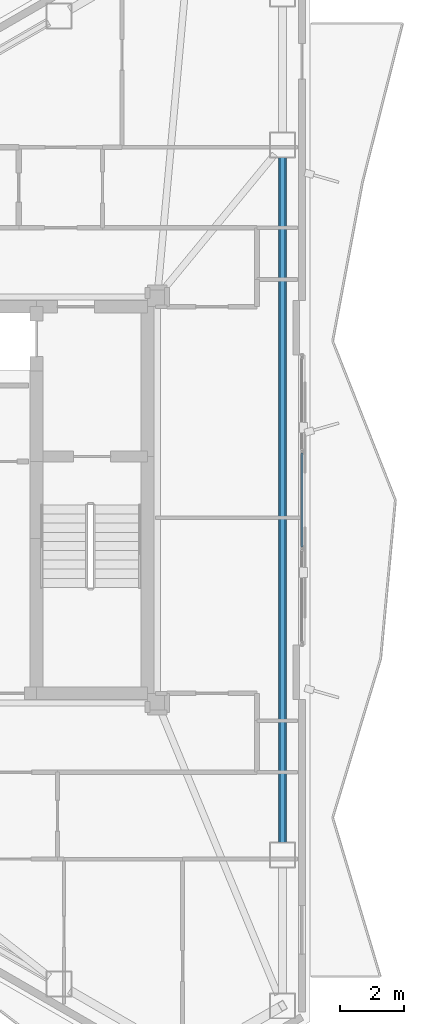
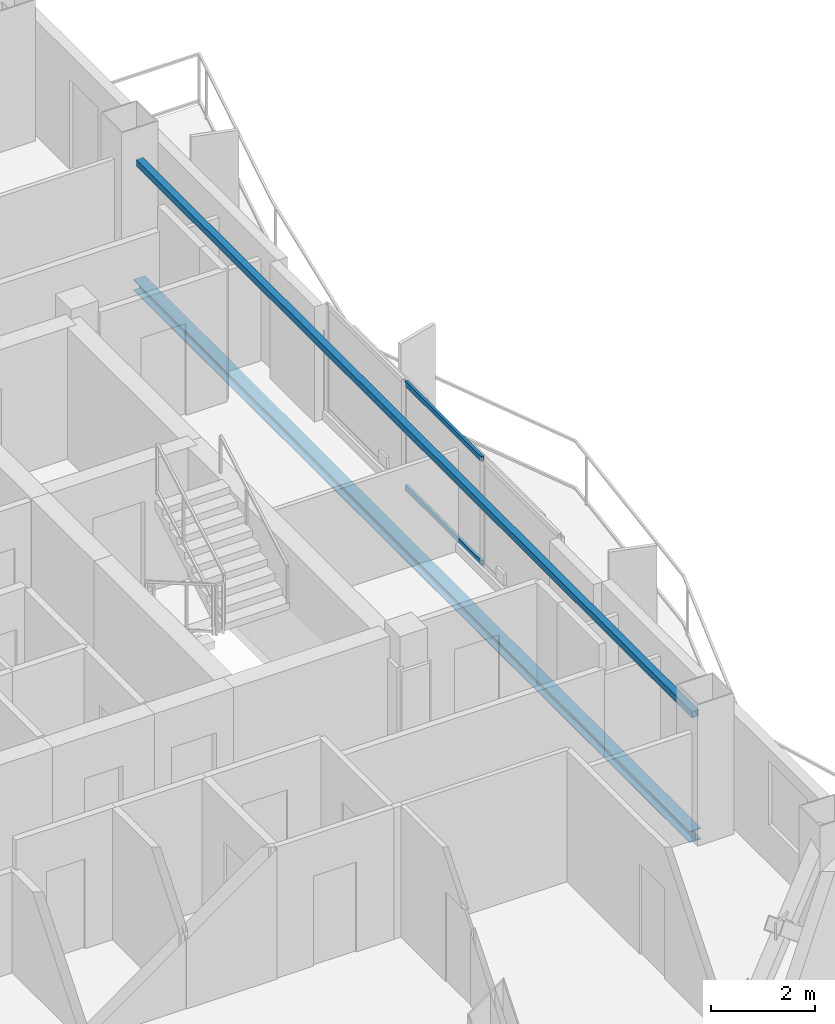
# One storey, part 12 of 22: 2 beams, 2 members, 1 element without a shape of its own.
"""IFC4 building model written with IfcOpenShell, lengths in metres."""

from ifc_helpers import new_model, si_unit, direction, frame, origin, origin_2d, place, context, subcontext, project, spatial, hollow_rectangle, i_section, extrude, material, layer, layer_set, material_profile, profile_set, type_object, element, aggregate, save


model = new_model("IFC4")

# Units and contexts
model_context = context("Model", 3, precision=1e-05, world=origin(), true_north=direction((0.0, 1.0)))
body_context = subcontext(model_context, "Body", "Model", "MODEL_VIEW")
ifc_project = project(units=[si_unit("LENGTHUNIT", "METRE"), si_unit("AREAUNIT", "SQUARE_METRE"), si_unit("VOLUMEUNIT", "CUBIC_METRE"), si_unit("PLANEANGLEUNIT", "RADIAN"), si_unit("MASSUNIT", "GRAM", prefix="KILO")], contexts=[model_context])

# Site, building, storey
site_placement = place(None, origin())
site = spatial("IfcSite", under=ifc_project, at=site_placement, CompositionType="ELEMENT")
building_placement = place(site_placement, origin())
building = spatial("IfcBuilding", under=site, at=building_placement, Name="Mersakhor Tower and Convention Hall", CompositionType="ELEMENT")
storey_placement = place(building_placement, frame((0.0, 0.0, 198.60009765625)))
storey = spatial("IfcBuildingStorey", under=building, at=storey_placement, Name="L55", CompositionType="ELEMENT", Elevation=198.60009765625)

# Beams
ifc_material_1 = material(Name="Steel S355", Category="steel")
ifc_material_profile_1 = material_profile(ifc_material_1, hollow_rectangle(XDim=0.14990234375, YDim=0.14990234375, WallThickness=0.010009765625, at=origin_2d()), Name="SHS 150x150x10")
ifc_profile_set_1 = profile_set([ifc_material_profile_1], Name="Steel S355")
beam_type_1 = type_object("IfcBeamType", Name="BM-GRT-SHS150", PredefinedType="USERDEFINED", material=ifc_profile_set_1)
beam_1_placement = place(storey_placement, frame((39.98828125, 37.392822265625, 2.47998046875), z_axis=(0.0, -1.0, 0.0), x_axis=(1.0, 0.0, 0.0)))
element("IfcBeam", 1, at=beam_1_placement, inside=storey, type_object=beam_type_1, Name="L55 Facade Support Girt GRT-F2", ObjectType="GIRT", PredefinedType="USERDEFINED", context=body_context, shape_type="SweptSolid", body=[
    extrude(hollow_rectangle(XDim=0.14990234375, YDim=0.14990234375, WallThickness=0.010009765625, at=origin_2d()), origin(), (0.0, 0.0, 1.0), 21.28564453125),
])
ifc_material_2 = material(Name="Steel S355", Category="steel")
ifc_material_profile_2 = material_profile(ifc_material_2, i_section(OverallWidth=0.25634765625, OverallDepth=0.26025390625, WebThickness=0.01025390625, FlangeThickness=0.017333984375, at=origin_2d()), Name="UC 254x254x89")
ifc_profile_set_2 = profile_set([ifc_material_profile_2], Name="Steel S355")
beam_type_2 = type_object("IfcBeamType", Name="BM-SPD-UC254", PredefinedType="SPANDREL", material=ifc_profile_set_2)
beam_2_placement = place(storey_placement, frame((39.98828125, 37.392822265625, -0.360107421875), z_axis=(0.0, -1.0, 0.0), x_axis=(1.0, 0.0, 0.0)))
element("IfcBeam", 2, at=beam_2_placement, inside=storey, type_object=beam_type_2, Name="L55 Perimeter Spandrel Beam SPB-06", PredefinedType="SPANDREL", context=body_context, shape_type="SweptSolid", body=[
    extrude(i_section(OverallWidth=0.25634765625, OverallDepth=0.26025390625, WebThickness=0.01025390625, FlangeThickness=0.017333984375, at=origin_2d()), origin(), (0.0, 0.0, 1.0), 21.28564453125),
])

# Curtain wall, members
ifc_material_3 = material(Name="Dark solar low-E aluminium curtain wall", Category="aluminium")
ifc_layer = layer(ifc_material_3, 0.169921875)
ifc_layer_set = layer_set([ifc_layer], Name="Dark solar low-E aluminium curtain wall")
curtain_wall_type = type_object("IfcCurtainWallType", Name="CW-SYS-02", PredefinedType="USERDEFINED", material=ifc_layer_set)
curtain_wall_placement = place(storey_placement, origin())
curtain_wall = element("IfcCurtainWall", 3, at=curtain_wall_placement, inside=storey, type_object=curtain_wall_type, Name="L55 Dark-Glass Curtain Wall F2-B2", ObjectType="CURTAIN WALL", PredefinedType="USERDEFINED")
ifc_material_4 = material(Name="Anodised aluminium EN AW-6063 T6", Category="aluminium")
ifc_material_profile_3 = material_profile(ifc_material_4, hollow_rectangle(XDim=0.06005859375, YDim=0.1201171875, WallThickness=0.0048828125, at=origin_2d()), Name="RHS 120x60x5")
ifc_profile_set_3 = profile_set([ifc_material_profile_3], Name="Anodised aluminium EN AW-6063 T6")
member_type = type_object("IfcMemberType", Name="CWT-120x60", PredefinedType="USERDEFINED", material=ifc_profile_set_3)
member_1_placement = place(storey_placement, frame((40.58837890625, 28.21240234375, 0.22998046875), z_axis=(0.0, -1.0, 0.0), x_axis=(1.0, 0.0, 0.0)))
member_1 = element("IfcMember", 4, at=member_1_placement, type_object=member_type, Name="CW-02 transom 2.1", ObjectType="TRANSOM", PredefinedType="USERDEFINED", context=body_context, shape_type="SweptSolid", body=[
    extrude(hollow_rectangle(XDim=0.06005859375, YDim=0.1201171875, WallThickness=0.0048828125, at=origin_2d()), origin(), (0.0, 0.0, 1.0), 2.9248046875),
])
member_2_placement = place(storey_placement, frame((40.58837890625, 28.21240234375, 2.659912109375), z_axis=(0.0, -1.0, 0.0), x_axis=(1.0, 0.0, 0.0)))
member_2 = element("IfcMember", 5, at=member_2_placement, type_object=member_type, Name="CW-02 transom 2.2", ObjectType="TRANSOM", PredefinedType="USERDEFINED", context=body_context, shape_type="SweptSolid", body=[
    extrude(hollow_rectangle(XDim=0.06005859375, YDim=0.1201171875, WallThickness=0.0048828125, at=origin_2d()), origin(), (0.0, 0.0, 1.0), 2.9248046875),
])
aggregate(curtain_wall, [member_1, member_2])

save(model, "model.ifc")
